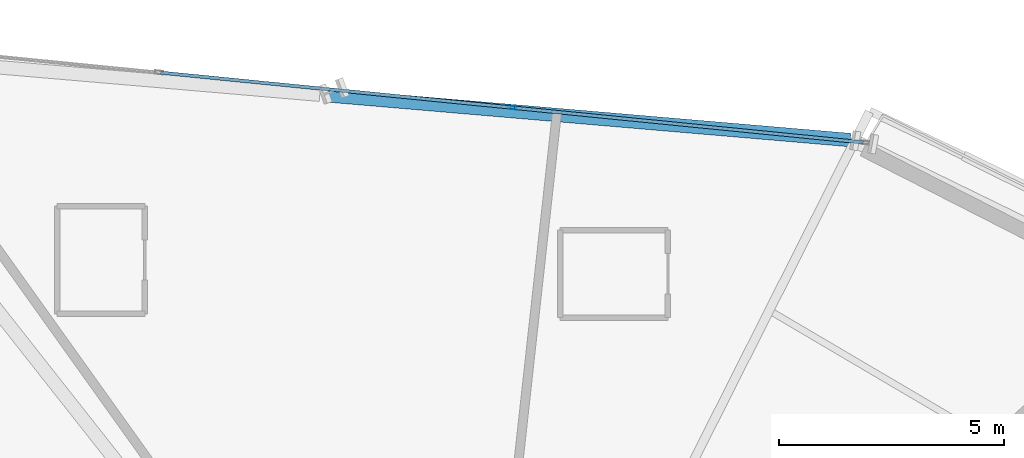
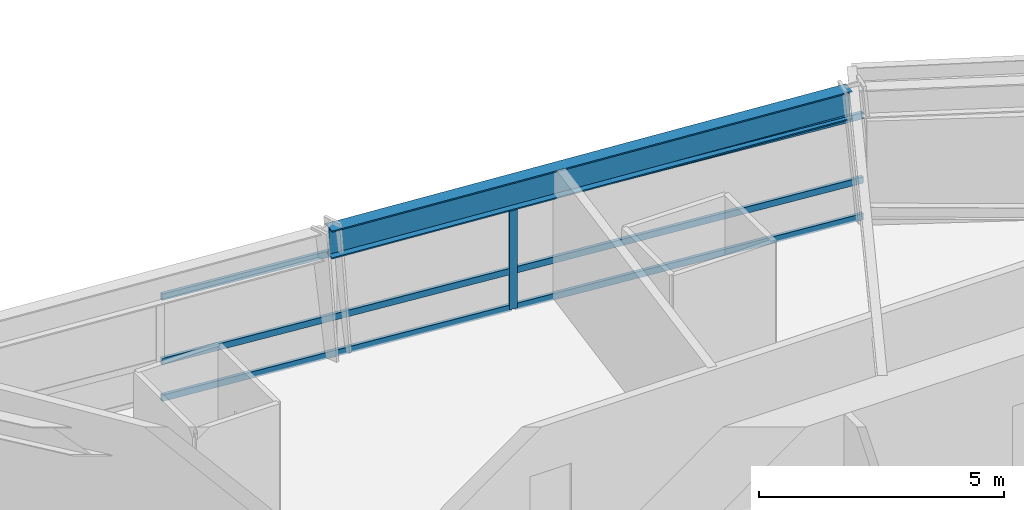
# One storey, part 12 of 24: 7 members, 1 beam, 1 element without a shape of its own.
"""IFC4 building model written with IfcOpenShell, lengths in metres."""

from ifc_helpers import new_model, si_unit, direction, frame, origin, origin_2d, place, context, subcontext, project, spatial, hollow_rectangle, i_section, extrude, source, transform, mapped, material, material_profile, profile_set, type_object, element, aggregate, save


model = new_model("IFC4")

# Units and contexts
model_context = context("Model", 3, precision=1e-05, world=origin(), true_north=direction((0.0, 1.0)))
body_context = subcontext(model_context, "Body", "Model", "MODEL_VIEW")
ifc_project = project(units=[si_unit("LENGTHUNIT", "METRE"), si_unit("AREAUNIT", "SQUARE_METRE"), si_unit("VOLUMEUNIT", "CUBIC_METRE"), si_unit("PLANEANGLEUNIT", "RADIAN"), si_unit("MASSUNIT", "GRAM", prefix="KILO")], contexts=[model_context])

# Site, building, storey
site_placement = place(None, origin())
site = spatial("IfcSite", under=ifc_project, at=site_placement, CompositionType="ELEMENT")
building_placement = place(site_placement, origin())
building = spatial("IfcBuilding", under=site, at=building_placement, Name="Olszyna Solenne Hotel", CompositionType="ELEMENT")
storey_placement = place(building_placement, frame((0.0, 0.0, 64.800048828125)))
storey = spatial("IfcBuildingStorey", under=building, at=storey_placement, Name="L16", CompositionType="ELEMENT", Elevation=64.800048828125)

# Beam
ifc_material_1 = material(Name="Steel S355J2", Category="steel")
ifc_material_profile_1 = material_profile(ifc_material_1, i_section(OverallWidth=0.300048828125, OverallDepth=0.699951171875, WebThickness=0.01708984375, FlangeThickness=0.031982421875, at=origin_2d()), Name="HEB 700", Category="load-bearing")
ifc_profile_set_1 = profile_set([ifc_material_profile_1], Name="Steel S355J2")
beam_type = type_object("IfcBeamType", Name="BM-S1", PredefinedType="BEAM", material=ifc_profile_set_1)
shared_shape_1 = source(origin(), body_context, "Body", "SweptSolid", [
    extrude(i_section(OverallWidth=0.300048828125, OverallDepth=0.699951171875, WebThickness=0.01708984375, FlangeThickness=0.031982421875, at=origin_2d()), origin(), (0.0, 0.0, 1.0), 11.731689453125),
])
beam_placement = place(storey_placement, frame((46.4833984375, 43.72119140625, 2.949951171875), z_axis=(-0.996371245902, 0.085113690673, 0.0), x_axis=(-0.085113690673, -0.996371245902, 0.0)))
element("IfcBeam", 1, at=beam_placement, inside=storey, type_object=beam_type, Name="Perimeter spandrel beam BM-S1 B-L16-0497", PredefinedType="BEAM", context=body_context, shape_type="MappedRepresentation", body=[
    mapped(shared_shape_1, transform((0.0, 0.0, 0.0), x_axis=(1.0, 0.0, 0.0), y_axis=(0.0, 1.0, 0.0), z_axis=(0.0, 0.0, 1.0), scale=1.0)),
])

# Curtain wall, members
ifc_material_2 = material(Name="Anodised bronze aluminium", Category="aluminium")
curtain_wall_type = type_object("IfcCurtainWallType", Name="CW-SYS-2", PredefinedType="NOTDEFINED", material=ifc_material_2)
curtain_wall_placement = place(storey_placement, origin())
curtain_wall = element("IfcCurtainWall", 2, at=curtain_wall_placement, inside=storey, type_object=curtain_wall_type, Name="Unitised curtain wall CW-SYS-2 CW-L16-02", PredefinedType="NOTDEFINED")
ifc_material_profile_2 = material_profile(ifc_material_2, hollow_rectangle(XDim=0.074951171875, YDim=0.179931640625, WallThickness=0.00439453125, at=origin_2d()), Name="MULL 180x75x4.5", Category="load-bearing")
ifc_profile_set_2 = profile_set([ifc_material_profile_2], Name="Anodised bronze aluminium")
member_type_1 = type_object("IfcMemberType", Name="CW-M2", PredefinedType="MULLION", material=ifc_profile_set_2)
shared_shape_2 = source(origin(), body_context, "Body", "SweptSolid", [
    extrude(hollow_rectangle(XDim=0.074951171875, YDim=0.179931640625, WallThickness=0.00439453125, at=origin_2d()), origin(), (0.0, 0.0, 1.0), 2.592041015625),
])
member_1_placement = place(storey_placement, frame((38.970703125, 44.44189453125, 0.0), z_axis=(0.0, 0.0, 1.0), x_axis=(0.098865083439, 0.995100846787, 0.0)))
member_1 = element("IfcMember", 3, at=member_1_placement, type_object=member_type_1, Name="Curtain-wall mullion CW-M2 CM-L16-02-03", PredefinedType="MULLION", context=body_context, shape_type="MappedRepresentation", body=[
    mapped(shared_shape_2, transform((0.0, 0.0, 0.0), x_axis=(1.0, 0.0, 0.0), y_axis=(0.0, 1.0, 0.0), z_axis=(0.0, 0.0, 1.0), scale=1.0)),
])
ifc_material_profile_3 = material_profile(ifc_material_2, hollow_rectangle(XDim=0.074951171875, YDim=0.159912109375, WallThickness=0.00390625, at=origin_2d()), Name="TRAN 160x75x4", Category="load-bearing")
ifc_profile_set_3 = profile_set([ifc_material_profile_3], Name="Anodised bronze aluminium")
member_type_2 = type_object("IfcMemberType", Name="CW-T1", PredefinedType="USERDEFINED", material=ifc_profile_set_3)
shared_shape_3 = source(origin(), body_context, "Body", "SweptSolid", [
    extrude(hollow_rectangle(XDim=0.074951171875, YDim=0.159912109375, WallThickness=0.00390625, at=origin_2d()), origin(), (0.0, 0.0, 1.0), 7.8369140625),
])
member_2_placement = place(storey_placement, frame((31.134765625, 45.220458984375, 0.037353515625), z_axis=(0.995099606357, -0.098877567873, 0.0), x_axis=(0.098877567873, 0.995099606357, 0.0)))
member_2 = element("IfcMember", 4, at=member_2_placement, type_object=member_type_2, Name="Curtain-wall transom CW-T1 CT-L16-02-04", ObjectType="TRANSOM", PredefinedType="USERDEFINED", context=body_context, shape_type="MappedRepresentation", body=[
    mapped(shared_shape_3, transform((0.0, 0.0, 0.0), x_axis=(1.0, 0.0, 0.0), y_axis=(0.0, 1.0, 0.0), z_axis=(0.0, 0.0, 1.0), scale=1.0)),
])
member_3_placement = place(storey_placement, frame((31.134765625, 45.220458984375, 0.949951171875), z_axis=(0.995099606357, -0.098877567873, 0.0), x_axis=(0.098877567873, 0.995099606357, 0.0)))
member_3 = element("IfcMember", 5, at=member_3_placement, type_object=member_type_2, Name="Curtain-wall transom CW-T1 CT-L16-02-05", ObjectType="TRANSOM", PredefinedType="USERDEFINED", context=body_context, shape_type="MappedRepresentation", body=[
    mapped(shared_shape_3, transform((0.0, 0.0, 0.0), x_axis=(1.0, 0.0, 0.0), y_axis=(0.0, 1.0, 0.0), z_axis=(0.0, 0.0, 1.0), scale=1.0)),
])
member_4_placement = place(storey_placement, frame((31.134765625, 45.220458984375, 2.554443359375), z_axis=(0.995099606357, -0.098877567873, 0.0), x_axis=(0.098877567873, 0.995099606357, 0.0)))
member_4 = element("IfcMember", 6, at=member_4_placement, type_object=member_type_2, Name="Curtain-wall transom CW-T1 CT-L16-02-06", ObjectType="TRANSOM", PredefinedType="USERDEFINED", context=body_context, shape_type="MappedRepresentation", body=[
    mapped(shared_shape_3, transform((0.0, 0.0, 0.0), x_axis=(1.0, 0.0, 0.0), y_axis=(0.0, 1.0, 0.0), z_axis=(0.0, 0.0, 1.0), scale=1.0)),
])
shared_shape_4 = source(origin(), body_context, "Body", "SweptSolid", [
    extrude(hollow_rectangle(XDim=0.074951171875, YDim=0.159912109375, WallThickness=0.00390625, at=origin_2d()), origin(), (0.0, 0.0, 1.0), 7.799560546875),
])
member_5_placement = place(storey_placement, frame((39.008056640625, 44.438232421875, 0.037353515625), z_axis=(0.995102367343, -0.098849777486, 0.0), x_axis=(0.098849777486, 0.995102367343, 0.0)))
member_5 = element("IfcMember", 7, at=member_5_placement, type_object=member_type_2, Name="Curtain-wall transom CW-T1 CT-L16-02-07", ObjectType="TRANSOM", PredefinedType="USERDEFINED", context=body_context, shape_type="MappedRepresentation", body=[
    mapped(shared_shape_4, transform((0.0, 0.0, 0.0), x_axis=(1.0, 0.0, 0.0), y_axis=(0.0, 1.0, 0.0), z_axis=(0.0, 0.0, 1.0), scale=1.0)),
])
member_6_placement = place(storey_placement, frame((39.008056640625, 44.438232421875, 0.949951171875), z_axis=(0.995102367343, -0.098849777486, 0.0), x_axis=(0.098849777486, 0.995102367343, 0.0)))
member_6 = element("IfcMember", 8, at=member_6_placement, type_object=member_type_2, Name="Curtain-wall transom CW-T1 CT-L16-02-08", ObjectType="TRANSOM", PredefinedType="USERDEFINED", context=body_context, shape_type="MappedRepresentation", body=[
    mapped(shared_shape_4, transform((0.0, 0.0, 0.0), x_axis=(1.0, 0.0, 0.0), y_axis=(0.0, 1.0, 0.0), z_axis=(0.0, 0.0, 1.0), scale=1.0)),
])
member_7_placement = place(storey_placement, frame((39.008056640625, 44.438232421875, 2.554443359375), z_axis=(0.995102367343, -0.098849777486, 0.0), x_axis=(0.098849777486, 0.995102367343, 0.0)))
member_7 = element("IfcMember", 9, at=member_7_placement, type_object=member_type_2, Name="Curtain-wall transom CW-T1 CT-L16-02-09", ObjectType="TRANSOM", PredefinedType="USERDEFINED", context=body_context, shape_type="MappedRepresentation", body=[
    mapped(shared_shape_4, transform((0.0, 0.0, 0.0), x_axis=(1.0, 0.0, 0.0), y_axis=(0.0, 1.0, 0.0), z_axis=(0.0, 0.0, 1.0), scale=1.0)),
])
aggregate(curtain_wall, [member_1, member_2, member_3, member_4, member_5, member_6, member_7])

save(model, "model.ifc")
